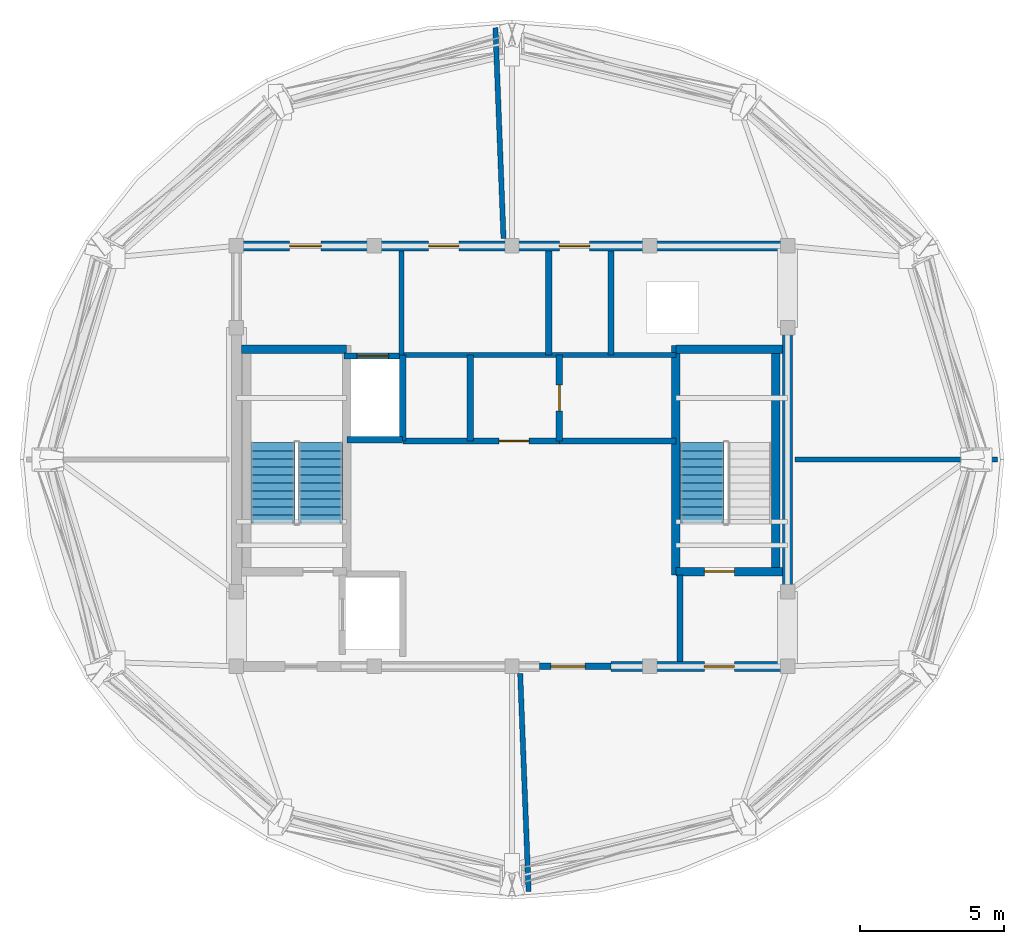
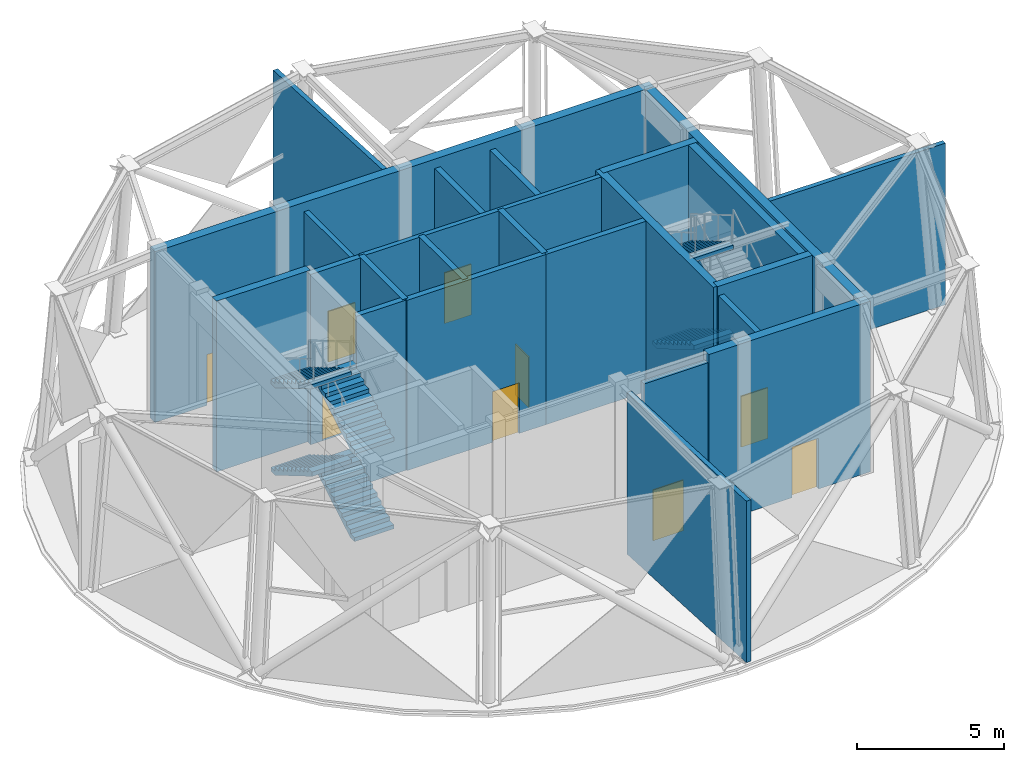
# One storey, part 5 of 9: 24 walls, 9 doors, 6 stair flights, 9 openings, 2 elements without a shape of their own.
"""IFC4 building model written with IfcOpenShell, lengths in metres."""

import ifcopenshell
import ifcopenshell.guid

model = None  # the IFC model being written
_history = None  # IfcOwnerHistory: only IFC2X3 demands one
_inside = {}  # id of a spatial element -> (the spatial element, [elements in it])
_under = {}  # id of a project, library or spatial element -> (it, [spatial elements below it])
_declared = {}  # id of a project -> (the project, [libraries it declares])
_typed = {}  # id of a type object -> (the type object, [elements of that type])
_made_of = {}  # id of a material, layer set ... -> (it, [elements and type objects made of it])


def new_model(schema):
    """Start an empty IFC model of exactly this schema.

    Asked for "IFC4X3", IfcOpenShell would pick the latest addendum, in which some entities
    have other attributes; the version numbers below select the first issue.
    IFC2X3 requires an IfcOwnerHistory on every rooted entity: one is made here for all.
    """
    global model, _history
    if schema == "IFC4X3":
        model = ifcopenshell.file(schema_version=(4, 3, 0, 0))
    else:
        model = ifcopenshell.file(schema=schema)
    _inside.clear()
    _under.clear()
    _declared.clear()
    _typed.clear()
    _made_of.clear()
    _history = None
    if model.schema == "IFC2X3":
        org = make("IfcOrganization", Name="unknown")
        user = make(
            "IfcPersonAndOrganization",
            ThePerson=make("IfcPerson", FamilyName="unknown"),
            TheOrganization=org,
        )
        app = make(
            "IfcApplication",
            ApplicationDeveloper=org,
            Version="unknown",
            ApplicationFullName="unknown",
            ApplicationIdentifier="unknown",
        )
        _history = make(
            "IfcOwnerHistory",
            OwningUser=user,
            OwningApplication=app,
            ChangeAction="ADDED",
            CreationDate=0,
        )
    return model


def make(cls, **values):
    """One entity of the class cls with the attributes given. An attribute that is None is left unset."""
    return model.create_entity(
        cls, **{name: value for name, value in values.items() if value is not None}
    )


def rooted(cls, **values):
    """An entity with a GlobalId (a new one), such as an element, a storey or a relation."""
    return make(cls, GlobalId=ifcopenshell.guid.new(), OwnerHistory=_history, **values)


def si_unit(unit_type, name, prefix=None):
    """IfcSIUnit, for example si_unit("LENGTHUNIT", "METRE", prefix="MILLI")."""
    return make("IfcSIUnit", UnitType=unit_type, Prefix=prefix, Name=name)


def assignment(units):
    """IfcUnitAssignment: the units of a project."""
    return None if units is None else make("IfcUnitAssignment", Units=units)


def point(xyz):
    """IfcCartesianPoint."""
    return None if xyz is None else make("IfcCartesianPoint", Coordinates=xyz)


def direction(xyz):
    """IfcDirection."""
    return None if xyz is None else make("IfcDirection", DirectionRatios=xyz)


def frame(location, z_axis=None, x_axis=None):
    """IfcAxis2Placement3D, a coordinate frame: its origin and axes. An axis left out is left unset."""
    return make(
        "IfcAxis2Placement3D",
        Location=point(location),
        Axis=direction(z_axis),
        RefDirection=direction(x_axis),
    )


def frame_2d(location, x_axis=None):
    """IfcAxis2Placement2D, a coordinate frame in the plane: its origin and x axis."""
    return make(
        "IfcAxis2Placement2D", Location=point(location), RefDirection=direction(x_axis)
    )


def origin():
    """The frame at (0, 0, 0) with its axes left unset."""
    return frame((0.0, 0.0, 0.0))


def place(relative_to, where):
    """IfcLocalPlacement: puts the frame where relative to a parent placement (None: the world)."""
    return make(
        "IfcLocalPlacement", PlacementRelTo=relative_to, RelativePlacement=where
    )


def context(
    kind, dimensions, precision=None, world=None, true_north=None, identifier=None
):
    """IfcGeometricRepresentationContext, for example the 3D "Model" context."""
    return make(
        "IfcGeometricRepresentationContext",
        ContextIdentifier=identifier,
        ContextType=kind,
        CoordinateSpaceDimension=dimensions,
        Precision=precision,
        WorldCoordinateSystem=world,
        TrueNorth=true_north,
    )


def subcontext(parent, identifier, kind, view, scale=None):
    """IfcGeometricRepresentationSubContext, for example "Body" below "Model"."""
    return make(
        "IfcGeometricRepresentationSubContext",
        ContextIdentifier=identifier,
        ContextType=kind,
        ParentContext=parent,
        TargetScale=scale,
        TargetView=view,
    )


def project(units=None, contexts=None):
    """IfcProject with its units and contexts."""
    return rooted(
        "IfcProject",
        Name="project",
        RepresentationContexts=contexts,
        UnitsInContext=assignment(units),
    )


def spatial(cls, under=None, at=None, **own):
    """A site, building, storey or space (cls), placed at a placement, below another one or the project."""
    s = rooted(cls, ObjectPlacement=at, **own)
    if under is not None:
        _under.setdefault(under.id(), (under, []))[1].append(s)
    return s


def polyline(points):
    """IfcPolyline through the points."""
    return make("IfcPolyline", Points=[point(p) for p in points])


def profile(cls, at=None, kind="AREA", **sizes):
    """A parametric profile (cls). Its sizes go by their IFC names, for example OverallWidth=200.0."""
    return make(cls, ProfileType=kind, Position=at, **sizes)


def rectangle(**sizes):
    """IfcRectangleProfileDef."""
    return profile("IfcRectangleProfileDef", **sizes)


def outline(outer, holes=None, kind="AREA"):
    """IfcArbitraryClosedProfileDef: a profile drawn as a closed curve; with holes, ...WithVoids."""
    if holes is None:
        return make("IfcArbitraryClosedProfileDef", ProfileType=kind, OuterCurve=outer)
    return make(
        "IfcArbitraryProfileDefWithVoids",
        ProfileType=kind,
        OuterCurve=outer,
        InnerCurves=holes,
    )


def extrude(swept, where, along, depth):
    """IfcExtrudedAreaSolid: the profile swept, set in the frame where, extruded along a direction by depth."""
    return make(
        "IfcExtrudedAreaSolid",
        SweptArea=swept,
        Position=where,
        ExtrudedDirection=direction(along),
        Depth=depth,
    )


def shape(context_of_items, identifier, shape_type, items):
    """IfcShapeRepresentation: the items that make up one representation, for example the "Body"."""
    return make(
        "IfcShapeRepresentation",
        ContextOfItems=context_of_items,
        RepresentationIdentifier=identifier,
        RepresentationType=shape_type,
        Items=items,
    )


def material(Name=None, Category=None):
    """IfcMaterial."""
    return make("IfcMaterial", Name=Name, Category=Category)


def layer(
    of_material, thickness, ventilated=None, Name=None, Category=None, Priority=None
):
    """IfcMaterialLayer: one layer of a wall or slab, of a material (None: an air gap)."""
    return make(
        "IfcMaterialLayer",
        Material=of_material,
        LayerThickness=thickness,
        IsVentilated=ventilated,
        Name=Name,
        Category=Category,
        Priority=Priority,
    )


def layer_set(layers, Name=None):
    """IfcMaterialLayerSet."""
    return make("IfcMaterialLayerSet", MaterialLayers=layers, LayerSetName=Name)


def made_of(thing, what):
    """Note that an element or type object is made of a material, layer set ...; save() writes the relation."""
    if what is not None:
        _made_of.setdefault(what.id(), (what, []))[1].append(thing)
    return thing


def type_object(cls, material=None, **own):
    """A type object (cls), such as IfcWallType, which elements share."""
    return made_of(rooted(cls, **own), material)


def element(
    cls,
    number,
    at=None,
    inside=None,
    cuts=None,
    type_object=None,
    material=None,
    context=None,
    identifier="Body",
    shape_type=None,
    held_by="IfcProductDefinitionShape",
    body=None,
    shapes=None,
    **own,
):
    """One element of the class cls, such as IfcWall. Its Tag is "e" and its number.

    at: its placement. inside: the storey or other place that contains it. cuts: it is an
    opening in that element (IfcRelVoidsElement). A single representation is given by context,
    identifier, shape_type and body (its items); several are given by shapes. held_by: the class
    of the entity that holds the representations. save() writes the other relations.
    """
    e = rooted(cls, Tag="e%d" % number, ObjectPlacement=at, **own)
    if body is not None:
        shapes = [shape(context, identifier, shape_type, body)]
    if shapes is not None:
        e.Representation = make(held_by, Representations=shapes)
    if inside is not None:
        _inside.setdefault(inside.id(), (inside, []))[1].append(e)
    if cuts is not None:
        rooted(
            "IfcRelVoidsElement", RelatingBuildingElement=cuts, RelatedOpeningElement=e
        )
    if type_object is not None:
        _typed.setdefault(type_object.id(), (type_object, []))[1].append(e)
    return made_of(e, material)


def fill(opening, filler):
    """IfcRelFillsElement: the door or window that sits in an opening."""
    return rooted(
        "IfcRelFillsElement",
        RelatingOpeningElement=opening,
        RelatedBuildingElement=filler,
    )


def aggregate(whole, parts):
    """IfcRelAggregates: a whole, such as a stair, and the parts it consists of."""
    return rooted("IfcRelAggregates", RelatingObject=whole, RelatedObjects=parts)


def save(model, path):
    """Write the relations noted so far, then the file.

    IfcRelAggregates (storeys below a building ...), IfcRelContainedInSpatialStructure (elements
    in a storey), IfcRelDefinesByType, IfcRelAssociatesMaterial and IfcRelDeclares: one each for
    every whole, place, type object, material and project.
    """
    for whole, parts in _under.values():
        aggregate(whole, parts)
    for where, things in _inside.values():
        rooted(
            "IfcRelContainedInSpatialStructure",
            RelatedElements=things,
            RelatingStructure=where,
        )
    for kind, things in _typed.values():
        rooted("IfcRelDefinesByType", RelatedObjects=things, RelatingType=kind)
    for what, things in _made_of.values():
        rooted("IfcRelAssociatesMaterial", RelatedObjects=things, RelatingMaterial=what)
    for by, libraries in _declared.values():
        rooted("IfcRelDeclares", RelatingContext=by, RelatedDefinitions=libraries)
    model.write(path)


model = new_model("IFC4")

# Units and contexts
model_context = context("Model", 3, precision=1e-05, world=origin(), true_north=direction((0.0, 1.0)))
body_context = subcontext(model_context, "Body", "Model", "MODEL_VIEW")
ifc_project = project(units=[si_unit("LENGTHUNIT", "METRE"), si_unit("AREAUNIT", "SQUARE_METRE"), si_unit("VOLUMEUNIT", "CUBIC_METRE"), si_unit("PLANEANGLEUNIT", "RADIAN"), si_unit("MASSUNIT", "GRAM", prefix="KILO")], contexts=[model_context])

# Site, building, storey
site_placement = place(None, origin())
site = spatial("IfcSite", under=ifc_project, at=site_placement, CompositionType="ELEMENT")
building_placement = place(site_placement, origin())
building = spatial("IfcBuilding", under=site, at=building_placement, Name="Vantalir Tower", CompositionType="ELEMENT")
storey_placement = place(building_placement, frame((0.0, 0.0, 311.75)))
storey = spatial("IfcBuildingStorey", under=building, at=storey_placement, Name="L77", CompositionType="ELEMENT", Elevation=311.75)

# Wall, opening, door
ifc_material_1 = material(Name="Concrete C50/60", Category="concrete")
ifc_layer_1 = layer(ifc_material_1, 0.35009765625)
ifc_layer_set_1 = layer_set([ifc_layer_1], Name="Concrete C50/60")
wall_type_1 = type_object("IfcWallType", Name="WL-CORE-350", PredefinedType="SHEAR", material=ifc_layer_set_1)
wall_1_placement = place(storey_placement, frame((34.949951171875, 17.800048828125, 0.0), z_axis=(0.0, 0.0, 1.0), x_axis=(1.0, 0.0, 0.0)))
wall_1 = element("IfcWall", 1, at=wall_1_placement, inside=storey, type_object=wall_type_1, Name="L77 Core Shear Wall South-East", PredefinedType="SHEAR", context=body_context, shape_type="SweptSolid", body=[
    extrude(rectangle(XDim=6.324951171875, YDim=0.35009765625, at=frame_2d((3.16259765625, 0.0))), origin(), (0.0, 0.0, 1.0), 7.070068359375),
])
opening_1_placement = place(wall_1_placement, frame((3.25, 0.0, 0.0)))
opening_1 = element("IfcOpeningElement", 2, at=opening_1_placement, cuts=wall_1, Name="Opening D-ST", PredefinedType="OPENING", context=body_context, shape_type="SweptSolid", body=[
    extrude(rectangle(XDim=1.050048828125, YDim=2.10009765625, at=frame_2d((0.52490234375, 1.050048828125))), frame((0.0, 0.18505859375, 0.0), z_axis=(0.0, -1.0, 0.0), x_axis=(1.0, 0.0, 0.0)), (0.0, 0.0, 1.0), 0.3701171875),
])
ifc_material_2 = material(Name="Fire-rated steel door leaf", Category="steel")
door_type_1 = type_object("IfcDoorType", Name="DR-FIRE-STAIR-1050", OperationType="NOTDEFINED", PredefinedType="DOOR", material=ifc_material_2)
door_1_placement = place(opening_1_placement, origin())
door_1 = element("IfcDoor", 3, at=door_1_placement, inside=storey, type_object=door_type_1, Name="L77 Stair ST2 Exit Lobby Door", OperationType="SINGLE_SWING_RIGHT", OverallHeight=2.10009765625, OverallWidth=1.050048828125, PredefinedType="DOOR", context=body_context, shape_type="SweptSolid", body=[
    extrude(rectangle(XDim=1.050048828125, YDim=2.10009765625, at=frame_2d((0.52490234375, 1.050048828125))), frame((0.0, 0.02490234375, 0.0), z_axis=(0.0, -1.0, 0.0), x_axis=(1.0, 0.0, 0.0)), (0.0, 0.0, 1.0), 0.050048828125),
])
fill(opening_1, door_1)

# Wall, openings, doors
wall_2_placement = place(storey_placement, frame((21.72509765625, 32.449951171875, 0.0), z_axis=(0.0, 0.0, 1.0), x_axis=(1.0, 0.0, 0.0)))
wall_2 = element("IfcWall", 4, at=wall_2_placement, inside=storey, type_object=wall_type_1, Name="L77 Core Shear Wall North", PredefinedType="SHEAR", context=body_context, shape_type="SweptSolid", body=[
    extrude(rectangle(XDim=19.5498046875, YDim=0.35009765625, at=frame_2d((9.77490234375, 0.0))), origin(), (0.0, 0.0, 1.0), 7.070068359375),
])
opening_2_placement = place(wall_2_placement, frame((2.02490234375, 0.0, 0.0)))
opening_2 = element("IfcOpeningElement", 5, at=opening_2_placement, cuts=wall_2, Name="Opening D-FFL", PredefinedType="OPENING", context=body_context, shape_type="SweptSolid", body=[
    extrude(rectangle(XDim=1.10009765625, YDim=2.10009765625, at=frame_2d((0.550048828125, 1.050048828125))), frame((0.0, 0.18505859375, 0.0), z_axis=(0.0, -1.0, 0.0), x_axis=(1.0, 0.0, 0.0)), (0.0, 0.0, 1.0), 0.3701171875),
])
opening_3_placement = place(wall_2_placement, frame((11.425048828125, 0.0, 0.0)))
opening_3 = element("IfcOpeningElement", 6, at=opening_3_placement, cuts=wall_2, Name="Opening D-ST", PredefinedType="OPENING", context=body_context, shape_type="SweptSolid", body=[
    extrude(rectangle(XDim=1.050048828125, YDim=2.10009765625, at=frame_2d((0.52490234375, 1.050048828125))), frame((0.0, 0.18505859375, 0.0), z_axis=(0.0, -1.0, 0.0), x_axis=(1.0, 0.0, 0.0)), (0.0, 0.0, 1.0), 0.3701171875),
])
opening_4_placement = place(wall_2_placement, frame((6.875, 0.0, 0.0)))
opening_4 = element("IfcOpeningElement", 7, at=opening_4_placement, cuts=wall_2, Name="Opening D-ST", PredefinedType="OPENING", context=body_context, shape_type="SweptSolid", body=[
    extrude(rectangle(XDim=1.050048828125, YDim=2.10009765625, at=frame_2d((0.52490234375, 1.050048828125))), frame((0.0, 0.18505859375, 0.0), z_axis=(0.0, -1.0, 0.0), x_axis=(1.0, 0.0, 0.0)), (0.0, 0.0, 1.0), 0.3701171875),
])
ifc_material_3 = material(Name="Fire-rated acoustic steel door", Category="steel")
door_type_2 = type_object("IfcDoorType", Name="DR-FIRE-LOBBY-1100", OperationType="NOTDEFINED", PredefinedType="DOOR", material=ifc_material_3)
door_2_placement = place(opening_2_placement, frame((1.10009765625, 0.0, 0.0), z_axis=(0.0, 0.0, 1.0), x_axis=(-1.0, 0.0, 0.0)))
door_2 = element("IfcDoor", 8, at=door_2_placement, inside=storey, type_object=door_type_2, Name="L77 Firefighting Lobby East Access Door", OperationType="SINGLE_SWING_LEFT", OverallHeight=2.10009765625, OverallWidth=1.10009765625, PredefinedType="DOOR", context=body_context, shape_type="SweptSolid", body=[
    extrude(rectangle(XDim=1.10009765625, YDim=2.10009765625, at=frame_2d((0.550048828125, 1.050048828125))), frame((0.0, 0.02490234375, 0.0), z_axis=(0.0, -1.0, 0.0), x_axis=(1.0, 0.0, 0.0)), (0.0, 0.0, 1.0), 0.050048828125),
])
fill(opening_2, door_2)
door_3_placement = place(opening_3_placement, frame((1.050048828125, 0.0, 0.0), z_axis=(0.0, 0.0, 1.0), x_axis=(-1.0, 0.0, 0.0)))
door_3 = element("IfcDoor", 9, at=door_3_placement, inside=storey, type_object=door_type_1, Name="L77 North Crown Passage Link Door", OperationType="SINGLE_SWING_RIGHT", OverallHeight=2.10009765625, OverallWidth=1.050048828125, PredefinedType="DOOR", context=body_context, shape_type="SweptSolid", body=[
    extrude(rectangle(XDim=1.050048828125, YDim=2.10009765625, at=frame_2d((0.52490234375, 1.050048828125))), frame((0.0, 0.02490234375, 0.0), z_axis=(0.0, -1.0, 0.0), x_axis=(1.0, 0.0, 0.0)), (0.0, 0.0, 1.0), 0.050048828125),
])
fill(opening_3, door_3)
door_4_placement = place(opening_4_placement, frame((1.050048828125, 0.0, 0.0), z_axis=(0.0, 0.0, 1.0), x_axis=(-1.0, 0.0, 0.0)))
door_4 = element("IfcDoor", 10, at=door_4_placement, inside=storey, type_object=door_type_1, Name="L77 Crown Telemetry Plant Door", OperationType="SINGLE_SWING_LEFT", OverallHeight=2.10009765625, OverallWidth=1.050048828125, PredefinedType="DOOR", context=body_context, shape_type="SweptSolid", body=[
    extrude(rectangle(XDim=1.050048828125, YDim=2.10009765625, at=frame_2d((0.52490234375, 1.050048828125))), frame((0.0, 0.02490234375, 0.0), z_axis=(0.0, -1.0, 0.0), x_axis=(1.0, 0.0, 0.0)), (0.0, 0.0, 1.0), 0.050048828125),
])
fill(opening_4, door_4)

# Walls
wall_3_placement = place(storey_placement, frame((41.10009765625, 17.97509765625, 0.0), z_axis=(0.0, 0.0, 1.0), x_axis=(0.0, 1.0, 0.0)))
element("IfcWall", 11, at=wall_3_placement, inside=storey, type_object=wall_type_1, Name="L77 Core Shear Wall East", PredefinedType="SHEAR", context=body_context, shape_type="SweptSolid", body=[
    extrude(rectangle(XDim=14.2998046875, YDim=0.35009765625, at=frame_2d((7.14990234375, 0.0))), origin(), (0.0, 0.0, 1.0), 7.070068359375),
])
ifc_material_4 = material(Name="Concrete blockwork with fireboard lining", Category="masonry")
ifc_layer_2 = layer(ifc_material_4, 0.219970703125)
ifc_layer_set_2 = layer_set([ifc_layer_2], Name="Concrete blockwork with fireboard lining")
wall_type_2 = type_object("IfcWallType", Name="WL-FFL-220", PredefinedType="PARTITIONING", material=ifc_layer_set_2)
wall_4_placement = place(storey_placement, frame((25.75, 25.68994140625, 0.0), z_axis=(0.0, 0.0, 1.0), x_axis=(1.0, 0.0, 0.0)))
element("IfcWall", 12, at=wall_4_placement, inside=storey, type_object=wall_type_2, Name="L77 Fire Lift FL2 Crown South Shaft Wall", PredefinedType="PARTITIONING", context=body_context, shape_type="SweptSolid", body=[
    extrude(rectangle(XDim=1.929931640625, YDim=0.219970703125, at=frame_2d((0.96484375, 0.0))), origin(), (0.0, 0.0, 1.0), 7.044921875),
])

# Wall, opening, door
wall_5_placement = place(storey_placement, frame((32.449951171875, 17.800048828125, 0.0), z_axis=(0.0, 0.0, 1.0), x_axis=(1.0, 0.0, 0.0)))
wall_5 = element("IfcWall", 13, at=wall_5_placement, inside=storey, type_object=wall_type_2, Name="L77 Passenger Lift Lobby South Wall", PredefinedType="PARTITIONING", context=body_context, shape_type="SweptSolid", body=[
    extrude(rectangle(XDim=2.5, YDim=0.219970703125, at=frame_2d((1.25, 0.0))), origin(), (0.0, 0.0, 1.0), 6.68701171875),
])
opening_5_placement = place(wall_5_placement, frame((0.39990234375, 0.0, 0.0)))
opening_5 = element("IfcOpeningElement", 14, at=opening_5_placement, cuts=wall_5, Name="Opening D-STE", PredefinedType="OPENING", context=body_context, shape_type="SweptSolid", body=[
    extrude(rectangle(XDim=1.199951171875, YDim=2.10009765625, at=frame_2d((0.60009765625, 1.050048828125))), frame((0.0, 0.119873046875, 0.0), z_axis=(0.0, -1.0, 0.0), x_axis=(1.0, 0.0, 0.0)), (0.0, 0.0, 1.0), 0.239990234375),
])
ifc_material_5 = material(Name="Solid-core teak veneer suite entrance door", Category="wood")
door_type_3 = type_object("IfcDoorType", Name="DR-SUITE-ENTRY-1200", OperationType="NOTDEFINED", PredefinedType="DOOR", material=ifc_material_5)
door_5_placement = place(opening_5_placement, origin())
door_5 = element("IfcDoor", 15, at=door_5_placement, inside=storey, type_object=door_type_3, Name="L77 Passenger Lift Lobby Concourse Door", OperationType="SINGLE_SWING_RIGHT", OverallHeight=2.10009765625, OverallWidth=1.199951171875, PredefinedType="DOOR", context=body_context, shape_type="SweptSolid", body=[
    extrude(rectangle(XDim=1.199951171875, YDim=2.10009765625, at=frame_2d((0.60009765625, 1.050048828125))), frame((0.0, 0.02490234375, 0.0), z_axis=(0.0, -1.0, 0.0), x_axis=(1.0, 0.0, 0.0)), (0.0, 0.0, 1.0), 0.050048828125),
])
fill(opening_5, door_5)

# Wall
wall_6_placement = place(storey_placement, frame((37.35009765625, 17.97509765625, 0.0), z_axis=(0.0, 0.0, 1.0), x_axis=(0.0, 1.0, 0.0)))
element("IfcWall", 16, at=wall_6_placement, inside=storey, type_object=wall_type_2, Name="L77 ST2 Exit Lobby West Wall", PredefinedType="PARTITIONING", context=body_context, shape_type="SweptSolid", body=[
    extrude(rectangle(XDim=3.0048828125, YDim=0.219970703125, at=frame_2d((1.50244140625, 0.0))), origin(), (0.0, 0.0, 1.0), 6.68701171875),
])

# Wall, opening, door
wall_7_placement = place(storey_placement, frame((25.639892578125, 28.610107421875, 0.0), z_axis=(0.0, 0.0, 1.0), x_axis=(1.0, 0.0, 0.0)))
wall_7 = element("IfcWall", 17, at=wall_7_placement, inside=storey, type_object=wall_type_2, Name="L77 Lift FL2 Shaft Front Wall", PredefinedType="PARTITIONING", context=body_context, shape_type="SweptSolid", body=[
    extrude(rectangle(XDim=2.02001953125, YDim=0.219970703125, at=frame_2d((1.010009765625, 0.0))), origin(), (0.0, 0.0, 1.0), 7.050048828125),
])
opening_6_placement = place(wall_7_placement, frame((0.4599609375, 0.0, 0.0)))
opening_6 = element("IfcOpeningElement", 18, at=opening_6_placement, cuts=wall_7, Name="Opening LD-FL2", PredefinedType="OPENING", context=body_context, shape_type="SweptSolid", body=[
    extrude(rectangle(XDim=1.10009765625, YDim=2.199951171875, at=frame_2d((0.550048828125, 1.10009765625))), frame((0.0, 0.119873046875, 0.0), z_axis=(0.0, -1.0, 0.0), x_axis=(1.0, 0.0, 0.0)), (0.0, 0.0, 1.0), 0.239990234375),
])
ifc_material_6 = material(Name="Brushed stainless-steel sliding lift landing door", Category="steel")
door_type_4 = type_object("IfcDoorType", Name="DR-LIFT-LANDING-1100", OperationType="DOUBLE_DOOR_SLIDING", PredefinedType="DOOR", material=ifc_material_6)
door_6_placement = place(opening_6_placement, origin())
door_6 = element("IfcDoor", 19, at=door_6_placement, inside=storey, type_object=door_type_4, Name="L77 Lift Landing Door FL2", OperationType="DOUBLE_DOOR_SLIDING", OverallHeight=2.199951171875, OverallWidth=1.10009765625, PredefinedType="DOOR", context=body_context, shape_type="SweptSolid", body=[
    extrude(rectangle(XDim=1.10009765625, YDim=2.199951171875, at=frame_2d((0.550048828125, 1.10009765625))), frame((0.0, 0.02490234375, 0.0), z_axis=(0.0, -1.0, 0.0), x_axis=(1.0, 0.0, 0.0)), (0.0, 0.0, 1.0), 0.050048828125),
])
fill(opening_6, door_6)

# Walls
wall_8_placement = place(storey_placement, frame((27.699951171875, 25.64990234375, 0.0), z_axis=(0.0, 0.0, 1.0), x_axis=(0.0, 1.0, 0.0)))
element("IfcWall", 20, at=wall_8_placement, inside=storey, type_object=wall_type_2, Name="L77 Fire Lift FL2 Dividing Wall", PredefinedType="PARTITIONING", context=body_context, shape_type="SweptSolid", body=[
    extrude(rectangle(XDim=3.0, YDim=0.219970703125, at=frame_2d((1.5, 0.0))), origin(), (0.0, 0.0, 1.0), 7.050048828125),
])
wall_9_placement = place(storey_placement, frame((32.780029296875, 28.64990234375, 0.0), z_axis=(0.0, 0.0, 1.0), x_axis=(0.0, 1.0, 0.0)))
element("IfcWall", 21, at=wall_9_placement, inside=storey, type_object=wall_type_2, Name="L77 Core Plant Link West Wall", PredefinedType="PARTITIONING", context=body_context, shape_type="SweptSolid", body=[
    extrude(rectangle(XDim=3.625, YDim=0.219970703125, at=frame_2d((1.8125, 0.0))), origin(), (0.0, 0.0, 1.0), 6.68701171875),
])
wall_10_placement = place(storey_placement, frame((30.050048828125, 25.64990234375, 0.0), z_axis=(0.0, 0.0, 1.0), x_axis=(0.0, 1.0, 0.0)))
element("IfcWall", 22, at=wall_10_placement, inside=storey, type_object=wall_type_2, Name="L77 Core Plant Lower West Wall", PredefinedType="PARTITIONING", context=body_context, shape_type="SweptSolid", body=[
    extrude(rectangle(XDim=3.0, YDim=0.219970703125, at=frame_2d((1.5, 0.0))), origin(), (0.0, 0.0, 1.0), 7.050048828125),
])

# Wall, opening, door
wall_11_placement = place(storey_placement, frame((27.699951171875, 25.64990234375, 0.0), z_axis=(0.0, 0.0, 1.0), x_axis=(1.0, 0.0, 0.0)))
wall_11 = element("IfcWall", 23, at=wall_11_placement, inside=storey, type_object=wall_type_2, Name="L77 Core Plant South Lobby Wall", PredefinedType="PARTITIONING", context=body_context, shape_type="SweptSolid", body=[
    extrude(rectangle(XDim=5.449951171875, YDim=0.219970703125, at=frame_2d((2.72509765625, 0.0))), origin(), (0.0, 0.0, 1.0), 7.050048828125),
])
opening_7_placement = place(wall_11_placement, frame((3.35009765625, 0.0, 0.0)))
opening_7 = element("IfcOpeningElement", 24, at=opening_7_placement, cuts=wall_11, Name="Opening D-ST", PredefinedType="OPENING", context=body_context, shape_type="SweptSolid", body=[
    extrude(rectangle(XDim=1.050048828125, YDim=2.10009765625, at=frame_2d((0.52490234375, 1.050048828125))), frame((0.0, 0.119873046875, 0.0), z_axis=(0.0, -1.0, 0.0), x_axis=(1.0, 0.0, 0.0)), (0.0, 0.0, 1.0), 0.239990234375),
])
door_7_placement = place(opening_7_placement, frame((1.050048828125, 0.0, 0.0), z_axis=(0.0, 0.0, 1.0), x_axis=(-1.0, 0.0, 0.0)))
door_7 = element("IfcDoor", 25, at=door_7_placement, inside=storey, type_object=door_type_1, Name="L77 Core Plant Passage Lobby Door", OperationType="SINGLE_SWING_LEFT", OverallHeight=2.10009765625, OverallWidth=1.050048828125, PredefinedType="DOOR", context=body_context, shape_type="SweptSolid", body=[
    extrude(rectangle(XDim=1.050048828125, YDim=2.10009765625, at=frame_2d((0.52490234375, 1.050048828125))), frame((0.0, 0.02490234375, 0.0), z_axis=(0.0, -1.0, 0.0), x_axis=(1.0, 0.0, 0.0)), (0.0, 0.0, 1.0), 0.050048828125),
])
fill(opening_7, door_7)

wall_12_placement = place(storey_placement, frame((33.14990234375, 25.64990234375, 0.0), z_axis=(0.0, 0.0, 1.0), x_axis=(0.0, 1.0, 0.0)))
wall_12 = element("IfcWall", 26, at=wall_12_placement, inside=storey, type_object=wall_type_2, Name="L77 Crown Emergency Switchroom West Wall", PredefinedType="PARTITIONING", context=body_context, shape_type="SweptSolid", body=[
    extrude(rectangle(XDim=3.0, YDim=0.219970703125, at=frame_2d((1.5, 0.0))), origin(), (0.0, 0.0, 1.0), 7.050048828125),
])
opening_8_placement = place(wall_12_placement, frame((1.050048828125, 0.0, 0.0)))
opening_8 = element("IfcOpeningElement", 27, at=opening_8_placement, cuts=wall_12, Name="Opening D-CR", PredefinedType="OPENING", context=body_context, shape_type="SweptSolid", body=[
    extrude(rectangle(XDim=0.89990234375, YDim=2.10009765625, at=frame_2d((0.449951171875, 1.050048828125))), frame((0.0, 0.119873046875, 0.0), z_axis=(0.0, -1.0, 0.0), x_axis=(1.0, 0.0, 0.0)), (0.0, 0.0, 1.0), 0.239990234375),
])
ifc_material_7 = material(Name="Fire-rated steel core service door", Category="steel")
door_type_5 = type_object("IfcDoorType", Name="DR-CORE-SERV-900", OperationType="NOTDEFINED", PredefinedType="DOOR", material=ifc_material_7)
door_8_placement = place(opening_8_placement, frame((0.89990234375, 0.0, 0.0), z_axis=(0.0, 0.0, 1.0), x_axis=(-1.0, 0.0, 0.0)))
door_8 = element("IfcDoor", 28, at=door_8_placement, inside=storey, type_object=door_type_5, Name="L77 Crown Emergency Switchroom Door", OperationType="SINGLE_SWING_RIGHT", OverallHeight=2.10009765625, OverallWidth=0.89990234375, PredefinedType="DOOR", context=body_context, shape_type="SweptSolid", body=[
    extrude(rectangle(XDim=0.89990234375, YDim=2.10009765625, at=frame_2d((0.449951171875, 1.050048828125))), frame((0.0, 0.02490234375, 0.0), z_axis=(0.0, -1.0, 0.0), x_axis=(1.0, 0.0, 0.0)), (0.0, 0.0, 1.0), 0.050048828125),
])
fill(opening_8, door_8)

# Walls
wall_13_placement = place(storey_placement, frame((33.14990234375, 25.64990234375, 0.0), z_axis=(0.0, 0.0, 1.0), x_axis=(1.0, 0.0, 0.0)))
element("IfcWall", 29, at=wall_13_placement, inside=storey, type_object=wall_type_2, Name="L77 Crown Emergency Switchroom South Wall", PredefinedType="PARTITIONING", context=body_context, shape_type="SweptSolid", body=[
    extrude(rectangle(XDim=4.06005859375, YDim=0.219970703125, at=frame_2d((2.030029296875, 0.0))), origin(), (0.0, 0.0, 1.0), 7.050048828125),
])
wall_14_placement = place(storey_placement, frame((34.949951171875, 28.64990234375, 0.0), z_axis=(0.0, 0.0, 1.0), x_axis=(0.0, 1.0, 0.0)))
element("IfcWall", 30, at=wall_14_placement, inside=storey, type_object=wall_type_2, Name="L77 Core Plant Link East Wall", PredefinedType="PARTITIONING", context=body_context, shape_type="SweptSolid", body=[
    extrude(rectangle(XDim=3.625, YDim=0.219970703125, at=frame_2d((1.8125, 0.0))), origin(), (0.0, 0.0, 1.0), 6.68701171875),
])
ifc_material_8 = material(Name="Twin-stud acoustic fire-rated gypsum partition", Category="gypsum")
ifc_layer_3 = layer(ifc_material_8, 0.179931640625)
ifc_layer_set_3 = layer_set([ifc_layer_3], Name="Twin-stud acoustic fire-rated gypsum partition")
wall_type_3 = type_object("IfcWallType", Name="WL-GUEST-180", PredefinedType="PARTITIONING", material=ifc_layer_set_3)
wall_15_placement = place(storey_placement, frame((27.64990234375, 28.64990234375, 0.0), z_axis=(0.0, 0.0, 1.0), x_axis=(1.0, 0.0, 0.0)))
element("IfcWall", 31, at=wall_15_placement, inside=storey, type_object=wall_type_3, Name="L77 Crown Core North Plant South Wall", PredefinedType="PARTITIONING", context=body_context, shape_type="SweptSolid", body=[
    extrude(rectangle(XDim=9.56005859375, YDim=0.179931640625, at=frame_2d((4.780029296875, 0.0))), origin(), (0.0, 0.0, 1.0), 7.050048828125),
])
wall_16_placement = place(storey_placement, frame((27.64990234375, 28.64990234375, 0.0), z_axis=(0.0, 0.0, 1.0), x_axis=(0.0, 1.0, 0.0)))
element("IfcWall", 32, at=wall_16_placement, inside=storey, type_object=wall_type_3, Name="L77 Crown Core North Plant West Wall", PredefinedType="PARTITIONING", context=body_context, shape_type="SweptSolid", body=[
    extrude(rectangle(XDim=3.625, YDim=0.179931640625, at=frame_2d((1.8125, 0.0))), origin(), (0.0, 0.0, 1.0), 6.68701171875),
])
wall_17_placement = place(storey_placement, frame((41.35009765625, 25.0, 0.0), z_axis=(0.0, 0.0, 1.0), x_axis=(1.0, 0.0, 0.0)))
element("IfcWall", 33, at=wall_17_placement, inside=storey, type_object=wall_type_3, Name="L77 Radial Suite Partition 01", PredefinedType="PARTITIONING", context=body_context, shape_type="SweptSolid", body=[
    extrude(rectangle(XDim=7.06201171875, YDim=0.179931640625, at=frame_2d((3.531005859375, 0.0))), origin(), (0.0, 0.0, 1.0), 6.68701171875),
])
wall_18_placement = place(storey_placement, frame((31.2041015625, 32.699951171875, 0.0), z_axis=(0.0, 0.0, 1.0), x_axis=(-0.038362963952, 0.999263870555, 0.0)))
element("IfcWall", 34, at=wall_18_placement, inside=storey, type_object=wall_type_3, Name="L77 Radial Suite Partition 02", PredefinedType="PARTITIONING", context=body_context, shape_type="SweptSolid", body=[
    extrude(rectangle(XDim=7.350341796875, YDim=0.179931640625, at=frame_2d((3.67529296875, 0.0))), origin(), (0.0, 0.0, 1.0), 6.68701171875),
])
wall_19_placement = place(storey_placement, frame((31.785888671875, 17.550048828125, 0.0), z_axis=(0.0, 0.0, 1.0), x_axis=(0.038417085165, -0.999261791308, 0.0)))
element("IfcWall", 35, at=wall_19_placement, inside=storey, type_object=wall_type_3, Name="L77 Radial Suite Partition 04", PredefinedType="PARTITIONING", context=body_context, shape_type="SweptSolid", body=[
    extrude(rectangle(XDim=7.6005859375, YDim=0.179931640625, at=frame_2d((3.80029296875, 0.0))), origin(), (0.0, 0.0, 1.0), 6.68701171875),
])
ifc_layer_4 = layer(ifc_material_1, 0.300048828125)
ifc_layer_set_4 = layer_set([ifc_layer_4], Name="Concrete C50/60")
wall_type_4 = type_object("IfcWallType", Name="WL-STAIR-300", PredefinedType="SHEAR", material=ifc_layer_set_4)
wall_20_placement = place(storey_placement, frame((22.074951171875, 28.85009765625, 0.0), z_axis=(0.0, 0.0, 1.0), x_axis=(1.0, 0.0, 0.0)))
element("IfcWall", 36, at=wall_20_placement, inside=storey, type_object=wall_type_4, Name="L77 Stair ST1 North Wall", PredefinedType="SHEAR", context=body_context, shape_type="SweptSolid", body=[
    extrude(rectangle(XDim=3.6650390625, YDim=0.300048828125, at=frame_2d((1.83251953125, 0.0))), origin(), (0.0, 0.0, 1.0), 7.070068359375),
])

# Wall, opening, door
wall_21_placement = place(storey_placement, frame((37.2099609375, 21.10009765625, 0.0), z_axis=(0.0, 0.0, 1.0), x_axis=(1.0, 0.0, 0.0)))
wall_21 = element("IfcWall", 37, at=wall_21_placement, inside=storey, type_object=wall_type_4, Name="L77 Stair ST2 South Wall", PredefinedType="SHEAR", context=body_context, shape_type="SweptSolid", body=[
    extrude(rectangle(XDim=3.715087890625, YDim=0.300048828125, at=frame_2d((1.857421875, 0.0))), origin(), (0.0, 0.0, 1.0), 7.070068359375),
])
opening_9_placement = place(wall_21_placement, frame((0.989990234375, 0.0, 0.0)))
opening_9 = element("IfcOpeningElement", 38, at=opening_9_placement, cuts=wall_21, Name="Opening D-ST", PredefinedType="OPENING", context=body_context, shape_type="SweptSolid", body=[
    extrude(rectangle(XDim=1.050048828125, YDim=2.10009765625, at=frame_2d((0.52490234375, 1.050048828125))), frame((0.0, 0.159912109375, 0.0), z_axis=(0.0, -1.0, 0.0), x_axis=(1.0, 0.0, 0.0)), (0.0, 0.0, 1.0), 0.320068359375),
])
door_9_placement = place(opening_9_placement, origin())
door_9 = element("IfcDoor", 39, at=door_9_placement, inside=storey, type_object=door_type_1, Name="L77 Exit Stair ST2 Fire Door", OperationType="SINGLE_SWING_RIGHT", OverallHeight=2.10009765625, OverallWidth=1.050048828125, PredefinedType="DOOR", context=body_context, shape_type="SweptSolid", body=[
    extrude(rectangle(XDim=1.050048828125, YDim=2.10009765625, at=frame_2d((0.52490234375, 1.050048828125))), frame((0.0, 0.02490234375, 0.0), z_axis=(0.0, -1.0, 0.0), x_axis=(1.0, 0.0, 0.0)), (0.0, 0.0, 1.0), 0.050048828125),
])
fill(opening_9, door_9)

# Walls
wall_22_placement = place(storey_placement, frame((37.2099609375, 28.85009765625, 0.0), z_axis=(0.0, 0.0, 1.0), x_axis=(1.0, 0.0, 0.0)))
element("IfcWall", 40, at=wall_22_placement, inside=storey, type_object=wall_type_4, Name="L77 Stair ST2 North Wall", PredefinedType="SHEAR", context=body_context, shape_type="SweptSolid", body=[
    extrude(rectangle(XDim=3.715087890625, YDim=0.300048828125, at=frame_2d((1.857421875, 0.0))), origin(), (0.0, 0.0, 1.0), 7.070068359375),
])
wall_23_placement = place(storey_placement, frame((37.2099609375, 20.97998046875, 0.0), z_axis=(0.0, 0.0, 1.0), x_axis=(0.0, 1.0, 0.0)))
element("IfcWall", 41, at=wall_23_placement, inside=storey, type_object=wall_type_4, Name="L77 Stair ST2 West Wall", PredefinedType="SHEAR", context=body_context, shape_type="SweptSolid", body=[
    extrude(rectangle(XDim=7.989990234375, YDim=0.300048828125, at=frame_2d((3.9951171875, 0.0))), origin(), (0.0, 0.0, 1.0), 7.070068359375),
])
wall_24_placement = place(storey_placement, frame((40.68994140625, 21.10009765625, 0.0), z_axis=(0.0, 0.0, 1.0), x_axis=(0.0, 1.0, 0.0)))
element("IfcWall", 42, at=wall_24_placement, inside=storey, type_object=wall_type_4, Name="L77 Stair ST2 East Liner Wall", PredefinedType="SHEAR", context=body_context, shape_type="SweptSolid", body=[
    extrude(rectangle(XDim=7.75, YDim=0.300048828125, at=frame_2d((3.875, 0.0))), origin(), (0.0, 0.0, 1.0), 7.070068359375),
])

# Stair, stair flights
ifc_material_9 = material(Name="Concrete C40/50", Category="concrete")
stair_type = type_object("IfcStairType", Name="STR-CORE-1450", PredefinedType="HALF_TURN_STAIR", material=ifc_material_9)
stair_1_placement = place(storey_placement, origin())
stair_1 = element("IfcStair", 43, at=stair_1_placement, inside=storey, type_object=stair_type, Name="L77 Core Exit Stair 1", PredefinedType="HALF_TURN_STAIR")
stair_flight_type = type_object("IfcStairFlightType", Name="FLT-CORE-1450", PredefinedType="STRAIGHT", material=ifc_material_9)
stair_flight_1_placement = place(storey_placement, frame((24.830078125, 22.7900390625, 0.0), z_axis=(0.0, 0.0, 1.0), x_axis=(0.0, 1.0, 0.0)))
stair_flight_1 = element("IfcStairFlight", 44, at=stair_flight_1_placement, type_object=stair_flight_type, Name="ST1 flight 1", NumberOfRisers=11, NumberOfTreads=10, PredefinedType="STRAIGHT", RiserHeight=0.164772727, TreadLength=0.28, context=body_context, shape_type="SweptSolid", body=[
    extrude(outline(polyline([(0.0, 0.0), (0.0, 0.164794921875), (0.280029296875, 0.164794921875), (0.280029296875, 0.32958984375), (0.56005859375, 0.32958984375), (0.56005859375, 0.494384765625), (0.840087890625, 0.494384765625), (0.840087890625, 0.6591796875), (1.1201171875, 0.6591796875), (1.1201171875, 0.823974609375), (1.39990234375, 0.823974609375), (1.39990234375, 0.988525390625), (1.679931640625, 0.988525390625), (1.679931640625, 1.1533203125), (1.9599609375, 1.1533203125), (1.9599609375, 1.318115234375), (2.239990234375, 1.318115234375), (2.239990234375, 1.48291015625), (2.52001953125, 1.48291015625), (2.52001953125, 1.647705078125), (2.800048828125, 1.647705078125), (2.800048828125, 1.8125), (2.800048828125, 1.473876953125), (0.295654296875, 0.0), (0.0, 0.0)])), frame((0.0, 0.77001953125, 0.0), z_axis=(0.0, -1.0, 0.0), x_axis=(1.0, 0.0, 0.0)), (0.0, 0.0, 1.0), 1.5400390625),
])
stair_flight_2_placement = place(storey_placement, frame((23.169921875, 25.590087890625, 1.8125), z_axis=(0.0, 0.0, 1.0), x_axis=(0.0, -1.0, 0.0)))
stair_flight_2 = element("IfcStairFlight", 45, at=stair_flight_2_placement, type_object=stair_flight_type, Name="ST1 flight 2", NumberOfRisers=11, NumberOfTreads=10, PredefinedType="STRAIGHT", RiserHeight=0.164772727, TreadLength=0.28, context=body_context, shape_type="SweptSolid", body=[
    extrude(outline(polyline([(0.0, 0.0), (0.0, 0.164794921875), (0.280029296875, 0.164794921875), (0.280029296875, 0.32958984375), (0.56005859375, 0.32958984375), (0.56005859375, 0.494384765625), (0.840087890625, 0.494384765625), (0.840087890625, 0.6591796875), (1.1201171875, 0.6591796875), (1.1201171875, 0.823974609375), (1.39990234375, 0.823974609375), (1.39990234375, 0.988525390625), (1.679931640625, 0.988525390625), (1.679931640625, 1.1533203125), (1.9599609375, 1.1533203125), (1.9599609375, 1.318115234375), (2.239990234375, 1.318115234375), (2.239990234375, 1.48291015625), (2.52001953125, 1.48291015625), (2.52001953125, 1.647705078125), (2.800048828125, 1.647705078125), (2.800048828125, 1.8125), (2.800048828125, 1.473876953125), (0.295654296875, 0.0), (0.0, 0.0)])), frame((0.0, 0.77001953125, 0.0), z_axis=(0.0, -1.0, 0.0), x_axis=(1.0, 0.0, 0.0)), (0.0, 0.0, 1.0), 1.5400390625),
])
stair_flight_3_placement = place(storey_placement, frame((24.830078125, 22.7900390625, 3.625), z_axis=(0.0, 0.0, 1.0), x_axis=(0.0, 1.0, 0.0)))
stair_flight_3 = element("IfcStairFlight", 46, at=stair_flight_3_placement, type_object=stair_flight_type, Name="ST1 flight 3", NumberOfRisers=11, NumberOfTreads=10, PredefinedType="STRAIGHT", RiserHeight=0.164772727, TreadLength=0.28, context=body_context, shape_type="SweptSolid", body=[
    extrude(outline(polyline([(0.0, 0.0), (0.0, 0.164794921875), (0.280029296875, 0.164794921875), (0.280029296875, 0.32958984375), (0.56005859375, 0.32958984375), (0.56005859375, 0.494384765625), (0.840087890625, 0.494384765625), (0.840087890625, 0.6591796875), (1.1201171875, 0.6591796875), (1.1201171875, 0.823974609375), (1.39990234375, 0.823974609375), (1.39990234375, 0.988525390625), (1.679931640625, 0.988525390625), (1.679931640625, 1.1533203125), (1.9599609375, 1.1533203125), (1.9599609375, 1.318115234375), (2.239990234375, 1.318115234375), (2.239990234375, 1.48291015625), (2.52001953125, 1.48291015625), (2.52001953125, 1.647705078125), (2.800048828125, 1.647705078125), (2.800048828125, 1.8125), (2.800048828125, 1.473876953125), (0.295654296875, 0.0), (0.0, 0.0)])), frame((0.0, 0.77001953125, 0.0), z_axis=(0.0, -1.0, 0.0), x_axis=(1.0, 0.0, 0.0)), (0.0, 0.0, 1.0), 1.5400390625),
])
stair_flight_4_placement = place(storey_placement, frame((23.169921875, 25.590087890625, 5.4375), z_axis=(0.0, 0.0, 1.0), x_axis=(0.0, -1.0, 0.0)))
stair_flight_4 = element("IfcStairFlight", 47, at=stair_flight_4_placement, type_object=stair_flight_type, Name="ST1 flight 4", NumberOfRisers=11, NumberOfTreads=10, PredefinedType="STRAIGHT", RiserHeight=0.164772727, TreadLength=0.28, context=body_context, shape_type="SweptSolid", body=[
    extrude(outline(polyline([(0.0, 0.0), (0.0, 0.164794921875), (0.280029296875, 0.164794921875), (0.280029296875, 0.32958984375), (0.56005859375, 0.32958984375), (0.56005859375, 0.494384765625), (0.840087890625, 0.494384765625), (0.840087890625, 0.6591796875), (1.1201171875, 0.6591796875), (1.1201171875, 0.823974609375), (1.39990234375, 0.823974609375), (1.39990234375, 0.988525390625), (1.679931640625, 0.988525390625), (1.679931640625, 1.1533203125), (1.9599609375, 1.1533203125), (1.9599609375, 1.318115234375), (2.239990234375, 1.318115234375), (2.239990234375, 1.48291015625), (2.52001953125, 1.48291015625), (2.52001953125, 1.647705078125), (2.800048828125, 1.647705078125), (2.800048828125, 1.8125), (2.800048828125, 1.473876953125), (0.295654296875, 0.0), (0.0, 0.0)])), frame((0.0, 0.77001953125, 0.0), z_axis=(0.0, -1.0, 0.0), x_axis=(1.0, 0.0, 0.0)), (0.0, 0.0, 1.0), 1.5400390625),
])
aggregate(stair_1, [stair_flight_1, stair_flight_2, stair_flight_3, stair_flight_4])

stair_2_placement = place(storey_placement, origin())
stair_2 = element("IfcStair", 48, at=stair_2_placement, inside=storey, type_object=stair_type, Name="L77 Core Exit Stair 2", PredefinedType="HALF_TURN_STAIR")
stair_flight_5_placement = place(storey_placement, frame((38.1201171875, 25.590087890625, 1.8125), z_axis=(0.0, 0.0, 1.0), x_axis=(0.0, -1.0, 0.0)))
stair_flight_5 = element("IfcStairFlight", 49, at=stair_flight_5_placement, type_object=stair_flight_type, Name="ST2 flight 2", NumberOfRisers=11, NumberOfTreads=10, PredefinedType="STRAIGHT", RiserHeight=0.164772727, TreadLength=0.28, context=body_context, shape_type="SweptSolid", body=[
    extrude(outline(polyline([(0.0, 0.0), (0.0, 0.164794921875), (0.280029296875, 0.164794921875), (0.280029296875, 0.32958984375), (0.56005859375, 0.32958984375), (0.56005859375, 0.494384765625), (0.840087890625, 0.494384765625), (0.840087890625, 0.6591796875), (1.1201171875, 0.6591796875), (1.1201171875, 0.823974609375), (1.39990234375, 0.823974609375), (1.39990234375, 0.988525390625), (1.679931640625, 0.988525390625), (1.679931640625, 1.1533203125), (1.9599609375, 1.1533203125), (1.9599609375, 1.318115234375), (2.239990234375, 1.318115234375), (2.239990234375, 1.48291015625), (2.52001953125, 1.48291015625), (2.52001953125, 1.647705078125), (2.800048828125, 1.647705078125), (2.800048828125, 1.8125), (2.800048828125, 1.473876953125), (0.295654296875, 0.0), (0.0, 0.0)])), frame((0.0, 0.77001953125, 0.0), z_axis=(0.0, -1.0, 0.0), x_axis=(1.0, 0.0, 0.0)), (0.0, 0.0, 1.0), 1.5400390625),
])
stair_flight_6_placement = place(storey_placement, frame((38.1201171875, 25.590087890625, 5.4375), z_axis=(0.0, 0.0, 1.0), x_axis=(0.0, -1.0, 0.0)))
stair_flight_6 = element("IfcStairFlight", 50, at=stair_flight_6_placement, type_object=stair_flight_type, Name="ST2 flight 4", NumberOfRisers=11, NumberOfTreads=10, PredefinedType="STRAIGHT", RiserHeight=0.164772727, TreadLength=0.28, context=body_context, shape_type="SweptSolid", body=[
    extrude(outline(polyline([(0.0, 0.0), (0.0, 0.164794921875), (0.280029296875, 0.164794921875), (0.280029296875, 0.32958984375), (0.56005859375, 0.32958984375), (0.56005859375, 0.494384765625), (0.840087890625, 0.494384765625), (0.840087890625, 0.6591796875), (1.1201171875, 0.6591796875), (1.1201171875, 0.823974609375), (1.39990234375, 0.823974609375), (1.39990234375, 0.988525390625), (1.679931640625, 0.988525390625), (1.679931640625, 1.1533203125), (1.9599609375, 1.1533203125), (1.9599609375, 1.318115234375), (2.239990234375, 1.318115234375), (2.239990234375, 1.48291015625), (2.52001953125, 1.48291015625), (2.52001953125, 1.647705078125), (2.800048828125, 1.647705078125), (2.800048828125, 1.8125), (2.800048828125, 1.473876953125), (0.295654296875, 0.0), (0.0, 0.0)])), frame((0.0, 0.77001953125, 0.0), z_axis=(0.0, -1.0, 0.0), x_axis=(1.0, 0.0, 0.0)), (0.0, 0.0, 1.0), 1.5400390625),
])
aggregate(stair_2, [stair_flight_5, stair_flight_6])

save(model, "model.ifc")
